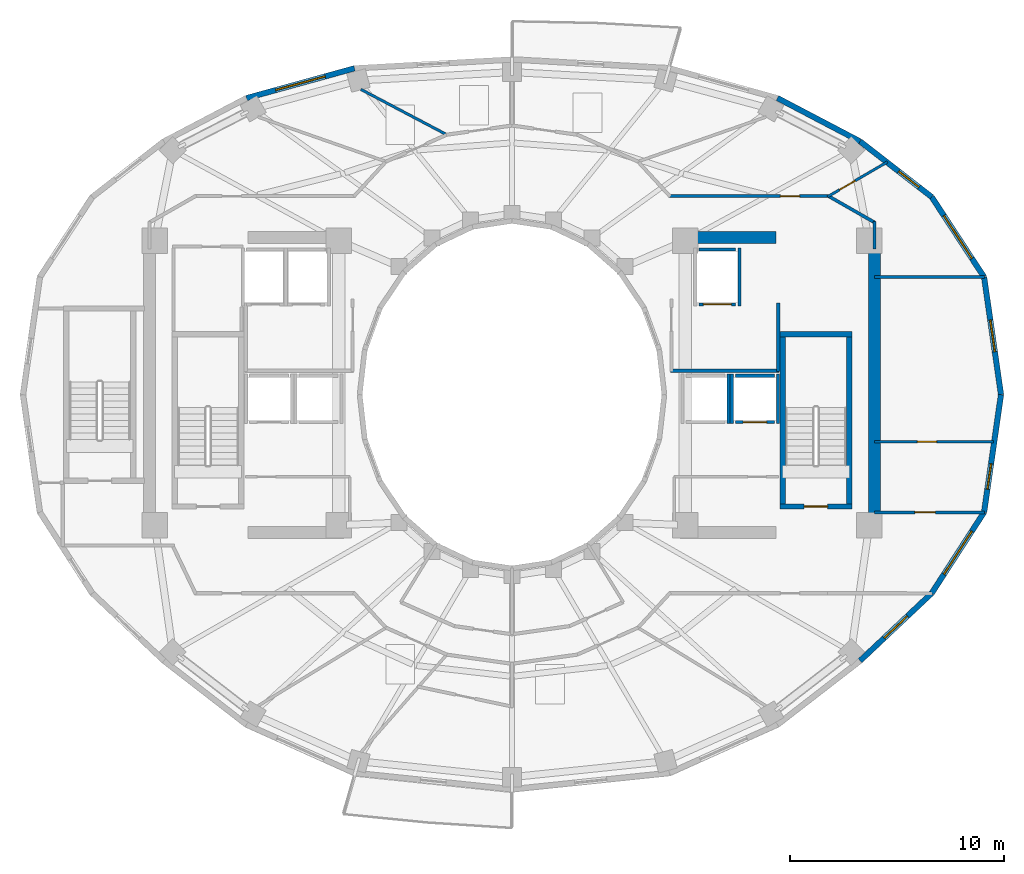
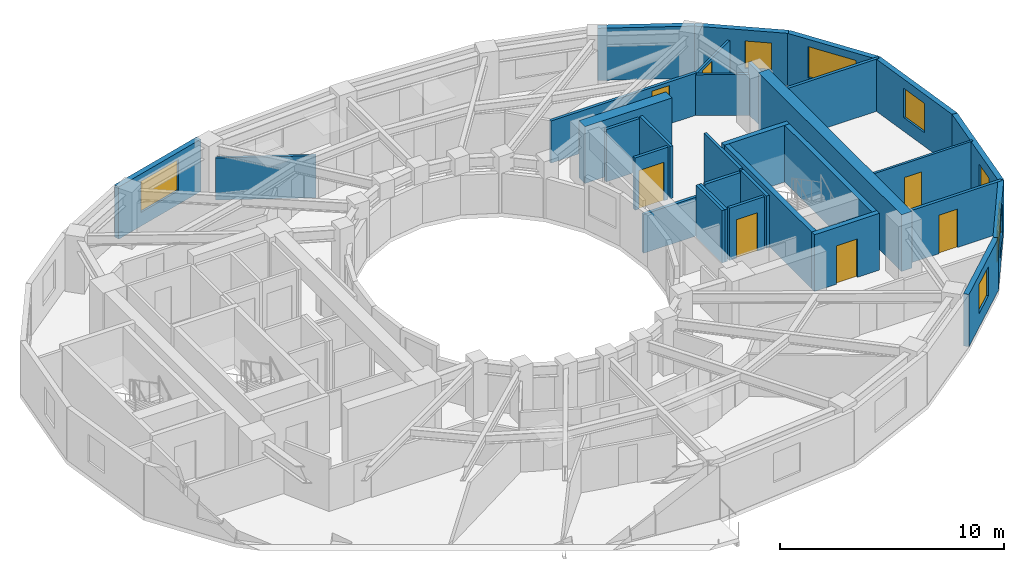
# One storey, part 6 of 9: 32 walls, 7 doors, 7 windows, 14 openings.
"""IFC4 building model written with IfcOpenShell, lengths in metres."""

from ifc_helpers import new_model, si_unit, direction, frame, frame_2d, origin, place, context, subcontext, project, spatial, rectangle, extrude, material, layer, layer_set, type_object, element, fill, save


model = new_model("IFC4")

# Units and contexts
model_context = context("Model", 3, precision=1e-05, world=origin(), true_north=direction((0.0, 1.0)))
body_context = subcontext(model_context, "Body", "Model", "MODEL_VIEW")
ifc_project = project(units=[si_unit("LENGTHUNIT", "METRE"), si_unit("AREAUNIT", "SQUARE_METRE"), si_unit("VOLUMEUNIT", "CUBIC_METRE"), si_unit("PLANEANGLEUNIT", "RADIAN"), si_unit("MASSUNIT", "GRAM", prefix="KILO")], contexts=[model_context])

# Site, building, storey
site_placement = place(None, origin())
site = spatial("IfcSite", under=ifc_project, at=site_placement, CompositionType="ELEMENT")
building_placement = place(site_placement, origin())
building = spatial("IfcBuilding", under=site, at=building_placement, Name="Solvane Sanctuary Tower", CompositionType="ELEMENT")
storey_placement = place(building_placement, frame((0.0, 0.0, 174.60009765625)))
storey = spatial("IfcBuildingStorey", under=building, at=storey_placement, Name="L53", CompositionType="ELEMENT", Elevation=174.60009765625)

# Walls
ifc_material_1 = material(Name="Concrete C50/60", Category="concrete")
ifc_layer_1 = layer(ifc_material_1, 0.550048828125, Name="Concrete C50/60")
ifc_layer_set_1 = layer_set([ifc_layer_1], Name="Concrete C50/60")
wall_type_1 = type_object("IfcWallType", Name="Wall W-CORE-550", PredefinedType="SHEAR", material=ifc_layer_set_1)
wall_1_placement = place(storey_placement, frame((48.949951171875, 17.050048828125, 0.0), z_axis=(0.0, 0.0, 1.0), x_axis=(0.0, 1.0, 0.0)))
element("IfcWall", 1, at=wall_1_placement, inside=storey, type_object=wall_type_1, Name="L53 Core Shear Wall EC-E", PredefinedType="SHEAR", context=body_context, shape_type="SweptSolid", body=[
    extrude(rectangle(XDim=12.800048828125, YDim=0.550048828125, at=frame_2d((6.39990234375, 0.0))), origin(), (0.0, 0.0, 1.0), 3.099853515625),
])
wall_2_placement = place(storey_placement, frame((39.85009765625, 30.35009765625, 0.0), z_axis=(0.0, 0.0, 1.0), x_axis=(1.0, 0.0, 0.0)))
element("IfcWall", 2, at=wall_2_placement, inside=storey, type_object=wall_type_1, Name="L53 Core Shear Wall EC-N", PredefinedType="SHEAR", context=body_context, shape_type="SweptSolid", body=[
    extrude(rectangle(XDim=4.5, YDim=0.550048828125, at=frame_2d((2.25, 0.0))), origin(), (0.0, 0.0, 1.0), 3.099853515625),
])
ifc_material_2 = material(Name="Acoustic Gypsum Partition Board")
ifc_layer_2 = layer(ifc_material_2, 0.14990234375, Name="Acoustic Gypsum Partition Board")
ifc_layer_set_2 = layer_set([ifc_layer_2], Name="Acoustic Gypsum Partition Board")
wall_type_2 = type_object("IfcWallType", Name="Wall W-CORR-150", PredefinedType="PARTITIONING", material=ifc_layer_set_2)
wall_3_placement = place(storey_placement, frame((39.39990234375, 24.1201171875, 0.0), z_axis=(0.0, 0.0, 1.0), x_axis=(1.0, 0.0, 0.0)))
element("IfcWall", 3, at=wall_3_placement, inside=storey, type_object=wall_type_2, Name="L53 East Firefighting Lobby South Wall", PredefinedType="PARTITIONING", context=body_context, shape_type="SweptSolid", body=[
    extrude(rectangle(XDim=5.080078125, YDim=0.14990234375, at=frame_2d((2.5400390625, 0.0))), origin(), (0.0, 0.0, 1.0), 2.119873046875),
])
wall_4_placement = place(storey_placement, frame((44.449951171875, 24.080078125, 0.0), z_axis=(0.0, 0.0, 1.0), x_axis=(0.0, 1.0, 0.0)))
element("IfcWall", 4, at=wall_4_placement, inside=storey, type_object=wall_type_2, Name="L53 East Firefighting Lobby East Wall", PredefinedType="PARTITIONING", context=body_context, shape_type="SweptSolid", body=[
    extrude(rectangle(XDim=3.199951171875, YDim=0.14990234375, at=frame_2d((1.60009765625, 0.0))), origin(), (0.0, 0.0, 1.0), 2.85498046875),
])

# Wall, opening, door
wall_5_placement = place(storey_placement, frame((48.949951171875, 17.4970703125, 0.0), z_axis=(0.0, 0.0, 1.0), x_axis=(1.0, 0.0, 0.0)))
wall_5 = element("IfcWall", 5, at=wall_5_placement, inside=storey, type_object=wall_type_2, Name="L53 East Shoulder South Wall", PredefinedType="PARTITIONING", context=body_context, shape_type="SweptSolid", body=[
    extrude(rectangle(XDim=5.14013671875, YDim=0.14990234375, at=frame_2d((2.570068359375, 0.0))), origin(), (0.0, 0.0, 1.0), 2.85498046875),
])
opening_1_placement = place(wall_5_placement, frame((1.888671875, 0.0, 0.0)))
opening_1 = element("IfcOpeningElement", 6, at=opening_1_placement, cuts=wall_5, Name="Opening D-L53-11", PredefinedType="OPENING", context=body_context, shape_type="SweptSolid", body=[
    extrude(rectangle(XDim=0.949951171875, YDim=2.10009765625, at=frame_2d((0.47509765625, 1.050048828125))), frame((0.0, 0.0849609375, 0.0), z_axis=(0.0, -1.0, 0.0), x_axis=(1.0, 0.0, 0.0)), (0.0, 0.0, 1.0), 0.169921875),
])
ifc_material_3 = material(Name="Engineered Tropical Hardwood", Category="wood")
door_type_1 = type_object("IfcDoorType", Name="Door D-ROOM-950", OperationType="NOTDEFINED", PredefinedType="DOOR", material=ifc_material_3)
door_1_placement = place(opening_1_placement, origin())
door_1 = element("IfcDoor", 7, at=door_1_placement, inside=storey, type_object=door_type_1, Name="L53 East Shoulder South Door", OperationType="SINGLE_SWING_RIGHT", OverallHeight=2.10009765625, OverallWidth=0.949951171875, PredefinedType="DOOR", context=body_context, shape_type="SweptSolid", body=[
    extrude(rectangle(XDim=0.949951171875, YDim=2.10009765625, at=frame_2d((0.47509765625, 1.050048828125))), frame((0.0, 0.02490234375, 0.0), z_axis=(0.0, -1.0, 0.0), x_axis=(1.0, 0.0, 0.0)), (0.0, 0.0, 1.0), 0.050048828125),
])
fill(opening_1, door_1)

# Walls
wall_6_placement = place(storey_placement, frame((48.949951171875, 28.5029296875, 0.0), z_axis=(0.0, 0.0, 1.0), x_axis=(1.0, 0.0, 0.0)))
element("IfcWall", 8, at=wall_6_placement, inside=storey, type_object=wall_type_2, Name="L53 East Shoulder North Wall", PredefinedType="PARTITIONING", context=body_context, shape_type="SweptSolid", body=[
    extrude(rectangle(XDim=5.14013671875, YDim=0.14990234375, at=frame_2d((2.570068359375, 0.0))), origin(), (0.0, 0.0, 1.0), 2.85498046875),
])
wall_7_placement = place(storey_placement, frame((48.949951171875, 29.800048828125, 0.0), z_axis=(0.0, 0.0, 1.0), x_axis=(0.0, 1.0, 0.0)))
element("IfcWall", 9, at=wall_7_placement, inside=storey, type_object=wall_type_2, Name="L53 NE Corner Closer 1", PredefinedType="PARTITIONING", context=body_context, shape_type="SweptSolid", body=[
    extrude(rectangle(XDim=1.2900390625, YDim=0.14990234375, at=frame_2d((0.64501953125, 0.0))), origin(), (0.0, 0.0, 1.0), 2.85498046875),
])

# Wall, opening, door
wall_8_placement = place(storey_placement, frame((39.330078125, 32.280029296875, 0.0), z_axis=(0.0, 0.0, 1.0), x_axis=(1.0, 0.0, 0.0)))
wall_8 = element("IfcWall", 10, at=wall_8_placement, inside=storey, type_object=wall_type_2, Name="L53 NE Corner Corridor Wall", PredefinedType="PARTITIONING", context=body_context, shape_type="SweptSolid", body=[
    extrude(rectangle(XDim=7.52001953125, YDim=0.14990234375, at=frame_2d((3.760009765625, 0.0))), origin(), (0.0, 0.0, 1.0), 2.298828125),
])
opening_2_placement = place(wall_8_placement, frame((5.219970703125, 0.0, 0.0)))
opening_2 = element("IfcOpeningElement", 11, at=opening_2_placement, cuts=wall_8, Name="Opening D-L53-14", PredefinedType="OPENING", context=body_context, shape_type="SweptSolid", body=[
    extrude(rectangle(XDim=0.89990234375, YDim=2.10009765625, at=frame_2d((0.449951171875, 1.050048828125))), frame((0.0, 0.0849609375, 0.0), z_axis=(0.0, -1.0, 0.0), x_axis=(1.0, 0.0, 0.0)), (0.0, 0.0, 1.0), 0.169921875),
])
door_type_2 = type_object("IfcDoorType", Name="Door D-WET-900", OperationType="NOTDEFINED", PredefinedType="DOOR", material=ifc_material_3)
door_2_placement = place(opening_2_placement, origin())
door_2 = element("IfcDoor", 12, at=door_2_placement, inside=storey, type_object=door_type_2, Name="L53 NE Corner Salon Door", OperationType="SINGLE_SWING_LEFT", OverallHeight=2.10009765625, OverallWidth=0.89990234375, PredefinedType="DOOR", context=body_context, shape_type="SweptSolid", body=[
    extrude(rectangle(XDim=0.89990234375, YDim=2.10009765625, at=frame_2d((0.449951171875, 1.050048828125))), frame((0.0, 0.02490234375, 0.0), z_axis=(0.0, -1.0, 0.0), x_axis=(1.0, 0.0, 0.0)), (0.0, 0.0, 1.0), 0.050048828125),
])
fill(opening_2, door_2)

# Wall
wall_9_placement = place(storey_placement, frame((46.756591796875, 32.3046875, 0.0), z_axis=(0.0, 0.0, 1.0), x_axis=(0.867991349648, -0.496579315857, 0.0)))
element("IfcWall", 13, at=wall_9_placement, inside=storey, type_object=wall_type_2, Name="L53 NE Corner Wing Wall", PredefinedType="PARTITIONING", context=body_context, shape_type="SweptSolid", body=[
    extrude(rectangle(XDim=2.56689453125, YDim=0.14990234375, at=frame_2d((1.283447265625, 0.0))), origin(), (0.0, 0.0, 1.0), 2.219970703125),
])

# Wall, opening, window
ifc_material_4 = material(Name="Precast concrete C40/50", Category="concrete")
ifc_layer_3 = layer(ifc_material_4, 0.260009765625, Name="Precast concrete C40/50")
ifc_layer_set_3 = layer_set([ifc_layer_3], Name="Precast concrete C40/50")
wall_type_3 = type_object("IfcWallType", Name="Wall W-EXT-250", PredefinedType="STANDARD", material=ifc_layer_set_3)
wall_10_placement = place(storey_placement, frame((54.860107421875, 23.0, 0.0), z_axis=(0.0, 0.0, 1.0), x_axis=(-0.142227632286, 0.989833976288, 0.0)))
wall_10 = element("IfcWall", 14, at=wall_10_placement, inside=storey, type_object=wall_type_3, Name="L53 Ceramic-Printed Facade Wall 00", PredefinedType="STANDARD", context=body_context, shape_type="SweptSolid", body=[
    extrude(rectangle(XDim=5.552978515625, YDim=0.260009765625, at=frame_2d((2.7763671875, 0.0))), origin(), (0.0, 0.0, 1.0), 2.849853515625),
])
opening_3_placement = place(wall_10_placement, frame((2.026611328125, 0.0, 0.75)))
opening_3 = element("IfcOpeningElement", 15, at=opening_3_placement, cuts=wall_10, Name="Opening WN-OPER-1500", PredefinedType="OPENING", context=body_context, shape_type="SweptSolid", body=[
    extrude(rectangle(XDim=1.5, YDim=1.60009765625, at=frame_2d((0.75, 0.800048828125))), frame((0.0, 0.139892578125, 0.0), z_axis=(0.0, -1.0, 0.0), x_axis=(1.0, 0.0, 0.0)), (0.0, 0.0, 1.0), 0.280029296875),
])
ifc_material_5 = material(Name="Dark Ceramic-Fritted Low-E Glass", Category="glass")
window_type_1 = type_object("IfcWindowType", Name="Window WN-OPER-1500", PartitioningType="SINGLE_PANEL", PredefinedType="WINDOW", material=ifc_material_5)
window_1_placement = place(opening_3_placement, origin())
window_1 = element("IfcWindow", 16, at=window_1_placement, inside=storey, type_object=window_type_1, Name="L53 Operable Facade Window 00", OverallHeight=1.60009765625, OverallWidth=1.5, PartitioningType="SINGLE_PANEL", PredefinedType="WINDOW", context=body_context, shape_type="SweptSolid", body=[
    extrude(rectangle(XDim=1.5, YDim=1.60009765625, at=frame_2d((0.75, 0.800048828125))), frame((0.0, 0.030029296875, 0.0), z_axis=(0.0, -1.0, 0.0), x_axis=(1.0, 0.0, 0.0)), (0.0, 0.0, 1.0), 0.06005859375),
])
fill(opening_3, window_1)

wall_11_placement = place(storey_placement, frame((54.0703125, 28.49658203125, 0.0), z_axis=(0.0, 0.0, 1.0), x_axis=(-0.547456494366, 0.836834145322, 0.0)))
wall_11 = element("IfcWall", 17, at=wall_11_placement, inside=storey, type_object=wall_type_3, Name="L53 Ceramic-Printed Facade Wall 01", PredefinedType="STANDARD", context=body_context, shape_type="SweptSolid", body=[
    extrude(rectangle(XDim=4.477294921875, YDim=0.260009765625, at=frame_2d((2.23876953125, 0.0))), origin(), (0.0, 0.0, 1.0), 2.849853515625),
])
opening_4_placement = place(wall_11_placement, frame((1.038818359375, 0.0, 0.75)))
opening_4 = element("IfcOpeningElement", 18, at=opening_4_placement, cuts=wall_11, Name="Opening WN-RIB-2400", PredefinedType="OPENING", context=body_context, shape_type="SweptSolid", body=[
    extrude(rectangle(XDim=2.39990234375, YDim=1.699951171875, at=frame_2d((1.199951171875, 0.85009765625))), frame((0.0, 0.139892578125, 0.0), z_axis=(0.0, -1.0, 0.0), x_axis=(1.0, 0.0, 0.0)), (0.0, 0.0, 1.0), 0.280029296875),
])
window_type_2 = type_object("IfcWindowType", Name="Window WN-RIB-2400", PartitioningType="SINGLE_PANEL", PredefinedType="WINDOW", material=ifc_material_5)
window_2_placement = place(opening_4_placement, origin())
window_2 = element("IfcWindow", 19, at=window_2_placement, inside=storey, type_object=window_type_2, Name="L53 Operable Facade Window 01", OverallHeight=1.699951171875, OverallWidth=2.39990234375, PartitioningType="SINGLE_PANEL", PredefinedType="WINDOW", context=body_context, shape_type="SweptSolid", body=[
    extrude(rectangle(XDim=2.39990234375, YDim=1.699951171875, at=frame_2d((1.199951171875, 0.85009765625))), frame((0.0, 0.030029296875, 0.0), z_axis=(0.0, -1.0, 0.0), x_axis=(1.0, 0.0, 0.0)), (0.0, 0.0, 1.0), 0.06005859375),
])
fill(opening_4, window_2)

wall_12_placement = place(storey_placement, frame((51.619140625, 32.243408203125, 0.0), z_axis=(0.0, 0.0, 1.0), x_axis=(-0.790185650662, 0.612867552973, 0.0)))
wall_12 = element("IfcWall", 20, at=wall_12_placement, inside=storey, type_object=wall_type_3, Name="L53 Ceramic-Printed Facade Wall 02", PredefinedType="STANDARD", context=body_context, shape_type="SweptSolid", body=[
    extrude(rectangle(XDim=4.2392578125, YDim=0.260009765625, at=frame_2d((2.11962890625, 0.0))), origin(), (0.0, 0.0, 1.0), 2.849853515625),
])
opening_5_placement = place(wall_12_placement, frame((0.748779296875, 0.0, 0.75)))
opening_5 = element("IfcOpeningElement", 21, at=opening_5_placement, cuts=wall_12, Name="Opening WN-OPER-1200", PredefinedType="OPENING", context=body_context, shape_type="SweptSolid", body=[
    extrude(rectangle(XDim=1.199951171875, YDim=1.5, at=frame_2d((0.60009765625, 0.75))), frame((0.0, 0.139892578125, 0.0), z_axis=(0.0, -1.0, 0.0), x_axis=(1.0, 0.0, 0.0)), (0.0, 0.0, 1.0), 0.280029296875),
])
window_type_3 = type_object("IfcWindowType", Name="Window WN-OPER-1200", PartitioningType="SINGLE_PANEL", PredefinedType="WINDOW", material=ifc_material_5)
window_3_placement = place(opening_5_placement, origin())
window_3 = element("IfcWindow", 22, at=window_3_placement, inside=storey, type_object=window_type_3, Name="L53 Operable Facade Window 02", OverallHeight=1.5, OverallWidth=1.199951171875, PartitioningType="SINGLE_PANEL", PredefinedType="WINDOW", context=body_context, shape_type="SweptSolid", body=[
    extrude(rectangle(XDim=1.199951171875, YDim=1.5, at=frame_2d((0.60009765625, 0.75))), frame((0.0, 0.030029296875, 0.0), z_axis=(0.0, -1.0, 0.0), x_axis=(1.0, 0.0, 0.0)), (0.0, 0.0, 1.0), 0.06005859375),
])
fill(opening_5, window_3)

# Wall
wall_13_placement = place(storey_placement, frame((48.269287109375, 34.841552734375, 0.0), z_axis=(0.0, 0.0, 1.0), x_axis=(-0.885660265226, 0.464333818065, 0.0)))
element("IfcWall", 23, at=wall_13_placement, inside=storey, type_object=wall_type_3, Name="L53 Ceramic-Printed Facade Wall 03", PredefinedType="STANDARD", context=body_context, shape_type="SweptSolid", body=[
    extrude(rectangle(XDim=4.35400390625, YDim=0.260009765625, at=frame_2d((2.177001953125, 0.0))), origin(), (0.0, 0.0, 1.0), 2.849853515625),
])

# Wall, opening, window
wall_14_placement = place(storey_placement, frame((24.634765625, 38.256591796875, 0.0), z_axis=(0.0, 0.0, 1.0), x_axis=(-0.963953455704, -0.26607092144, 0.0)))
wall_14 = element("IfcWall", 24, at=wall_14_placement, inside=storey, type_object=wall_type_3, Name="L53 Ceramic-Printed Facade Wall 07", PredefinedType="STANDARD", context=body_context, shape_type="SweptSolid", body=[
    extrude(rectangle(XDim=5.236572265625, YDim=0.260009765625, at=frame_2d((2.6181640625, 0.0))), origin(), (0.0, 0.0, 1.0), 2.849853515625),
])
opening_6_placement = place(wall_14_placement, frame((1.418212890625, 0.0, 0.75)))
opening_6 = element("IfcOpeningElement", 25, at=opening_6_placement, cuts=wall_14, Name="Opening WN-RIB-2400", PredefinedType="OPENING", context=body_context, shape_type="SweptSolid", body=[
    extrude(rectangle(XDim=2.39990234375, YDim=1.699951171875, at=frame_2d((1.199951171875, 0.85009765625))), frame((0.0, 0.139892578125, 0.0), z_axis=(0.0, -1.0, 0.0), x_axis=(1.0, 0.0, 0.0)), (0.0, 0.0, 1.0), 0.280029296875),
])
window_4_placement = place(opening_6_placement, origin())
window_4 = element("IfcWindow", 26, at=window_4_placement, inside=storey, type_object=window_type_2, Name="L53 Operable Facade Window 07", OverallHeight=1.699951171875, OverallWidth=2.39990234375, PartitioningType="SINGLE_PANEL", PredefinedType="WINDOW", context=body_context, shape_type="SweptSolid", body=[
    extrude(rectangle(XDim=2.39990234375, YDim=1.699951171875, at=frame_2d((1.199951171875, 0.85009765625))), frame((0.0, 0.030029296875, 0.0), z_axis=(0.0, -1.0, 0.0), x_axis=(1.0, 0.0, 0.0)), (0.0, 0.0, 1.0), 0.06005859375),
])
fill(opening_6, window_4)

wall_15_placement = place(storey_placement, frame((48.269287109375, 10.55859375, 0.0), z_axis=(0.0, 0.0, 1.0), x_axis=(0.727667301037, 0.68593024354, 0.0)))
wall_15 = element("IfcWall", 27, at=wall_15_placement, inside=storey, type_object=wall_type_3, Name="L53 Ceramic-Printed Facade Wall 21", PredefinedType="STANDARD", context=body_context, shape_type="SweptSolid", body=[
    extrude(rectangle(XDim=4.603515625, YDim=0.260009765625, at=frame_2d((2.3017578125, 0.0))), origin(), (0.0, 0.0, 1.0), 2.849853515625),
])
opening_7_placement = place(wall_15_placement, frame((1.5517578125, 0.0, 0.75)))
opening_7 = element("IfcOpeningElement", 28, at=opening_7_placement, cuts=wall_15, Name="Opening WN-OPER-1500", PredefinedType="OPENING", context=body_context, shape_type="SweptSolid", body=[
    extrude(rectangle(XDim=1.5, YDim=1.60009765625, at=frame_2d((0.75, 0.800048828125))), frame((0.0, 0.139892578125, 0.0), z_axis=(0.0, -1.0, 0.0), x_axis=(1.0, 0.0, 0.0)), (0.0, 0.0, 1.0), 0.280029296875),
])
window_5_placement = place(opening_7_placement, origin())
window_5 = element("IfcWindow", 29, at=window_5_placement, inside=storey, type_object=window_type_1, Name="L53 Operable Facade Window 21", OverallHeight=1.60009765625, OverallWidth=1.5, PartitioningType="SINGLE_PANEL", PredefinedType="WINDOW", context=body_context, shape_type="SweptSolid", body=[
    extrude(rectangle(XDim=1.5, YDim=1.60009765625, at=frame_2d((0.75, 0.800048828125))), frame((0.0, 0.030029296875, 0.0), z_axis=(0.0, -1.0, 0.0), x_axis=(1.0, 0.0, 0.0)), (0.0, 0.0, 1.0), 0.06005859375),
])
fill(opening_7, window_5)

wall_16_placement = place(storey_placement, frame((51.619140625, 13.71630859375, 0.0), z_axis=(0.0, 0.0, 1.0), x_axis=(0.543358984534, 0.839500454989, 0.0)))
wall_16 = element("IfcWall", 30, at=wall_16_placement, inside=storey, type_object=wall_type_3, Name="L53 Ceramic-Printed Facade Wall 22", PredefinedType="STANDARD", context=body_context, shape_type="SweptSolid", body=[
    extrude(rectangle(XDim=4.51123046875, YDim=0.260009765625, at=frame_2d((2.255615234375, 0.0))), origin(), (0.0, 0.0, 1.0), 2.849853515625),
])
opening_8_placement = place(wall_16_placement, frame((1.0556640625, 0.0, 0.75)))
opening_8 = element("IfcOpeningElement", 31, at=opening_8_placement, cuts=wall_16, Name="Opening WN-RIB-2400", PredefinedType="OPENING", context=body_context, shape_type="SweptSolid", body=[
    extrude(rectangle(XDim=2.39990234375, YDim=1.699951171875, at=frame_2d((1.199951171875, 0.85009765625))), frame((0.0, 0.139892578125, 0.0), z_axis=(0.0, -1.0, 0.0), x_axis=(1.0, 0.0, 0.0)), (0.0, 0.0, 1.0), 0.280029296875),
])
window_6_placement = place(opening_8_placement, origin())
window_6 = element("IfcWindow", 32, at=window_6_placement, inside=storey, type_object=window_type_2, Name="L53 Operable Facade Window 22", OverallHeight=1.699951171875, OverallWidth=2.39990234375, PartitioningType="SINGLE_PANEL", PredefinedType="WINDOW", context=body_context, shape_type="SweptSolid", body=[
    extrude(rectangle(XDim=2.39990234375, YDim=1.699951171875, at=frame_2d((1.199951171875, 0.85009765625))), frame((0.0, 0.030029296875, 0.0), z_axis=(0.0, -1.0, 0.0), x_axis=(1.0, 0.0, 0.0)), (0.0, 0.0, 1.0), 0.06005859375),
])
fill(opening_8, window_6)

wall_17_placement = place(storey_placement, frame((54.0703125, 17.50341796875, 0.0), z_axis=(0.0, 0.0, 1.0), x_axis=(0.142227632286, 0.989833976288, 0.0)))
wall_17 = element("IfcWall", 33, at=wall_17_placement, inside=storey, type_object=wall_type_3, Name="L53 Ceramic-Printed Facade Wall 23", PredefinedType="STANDARD", context=body_context, shape_type="SweptSolid", body=[
    extrude(rectangle(XDim=5.552978515625, YDim=0.260009765625, at=frame_2d((2.7763671875, 0.0))), origin(), (0.0, 0.0, 1.0), 2.849853515625),
])
opening_9_placement = place(wall_17_placement, frame((1.090087890625, 0.0, 0.75)))
opening_9 = element("IfcOpeningElement", 34, at=opening_9_placement, cuts=wall_17, Name="Opening WN-OPER-1200", PredefinedType="OPENING", context=body_context, shape_type="SweptSolid", body=[
    extrude(rectangle(XDim=1.199951171875, YDim=1.5, at=frame_2d((0.60009765625, 0.75))), frame((0.0, 0.139892578125, 0.0), z_axis=(0.0, -1.0, 0.0), x_axis=(1.0, 0.0, 0.0)), (0.0, 0.0, 1.0), 0.280029296875),
])
window_7_placement = place(opening_9_placement, origin())
window_7 = element("IfcWindow", 35, at=window_7_placement, inside=storey, type_object=window_type_3, Name="L53 Operable Facade Window 23", OverallHeight=1.5, OverallWidth=1.199951171875, PartitioningType="SINGLE_PANEL", PredefinedType="WINDOW", context=body_context, shape_type="SweptSolid", body=[
    extrude(rectangle(XDim=1.199951171875, YDim=1.5, at=frame_2d((0.60009765625, 0.75))), frame((0.0, 0.030029296875, 0.0), z_axis=(0.0, -1.0, 0.0), x_axis=(1.0, 0.0, 0.0)), (0.0, 0.0, 1.0), 0.06005859375),
])
fill(opening_9, window_7)

# Wall, opening, door
ifc_layer_4 = layer(ifc_material_2, 0.1201171875, Name="Acoustic Gypsum Partition Board")
ifc_layer_set_4 = layer_set([ifc_layer_4], Name="Acoustic Gypsum Partition Board")
wall_type_4 = type_object("IfcWallType", Name="Wall W-MOV-100", PredefinedType="MOVABLE", material=ifc_layer_set_4)
wall_18_placement = place(storey_placement, frame((48.949951171875, 20.800048828125, 0.0), z_axis=(0.0, 0.0, 1.0), x_axis=(1.0, 0.0, 0.0)))
wall_18 = element("IfcWall", 36, at=wall_18_placement, inside=storey, type_object=wall_type_4, Name="L53 East Suite Partition", PredefinedType="MOVABLE", context=body_context, shape_type="SweptSolid", body=[
    extrude(rectangle(XDim=5.55419921875, YDim=0.1201171875, at=frame_2d((2.777099609375, 0.0))), origin(), (0.0, 0.0, 1.0), 2.85498046875),
])
opening_10_placement = place(wall_18_placement, frame((2.0, 0.0, 0.0)))
opening_10 = element("IfcOpeningElement", 37, at=opening_10_placement, cuts=wall_18, Name="Opening D-L53-12", PredefinedType="OPENING", context=body_context, shape_type="SweptSolid", body=[
    extrude(rectangle(XDim=0.89990234375, YDim=2.10009765625, at=frame_2d((0.449951171875, 1.050048828125))), frame((0.0, 0.070068359375, 0.0), z_axis=(0.0, -1.0, 0.0), x_axis=(1.0, 0.0, 0.0)), (0.0, 0.0, 1.0), 0.14013671875),
])
door_3_placement = place(opening_10_placement, origin())
door_3 = element("IfcDoor", 38, at=door_3_placement, inside=storey, type_object=door_type_2, Name="L53 East Suite Internal Door", OperationType="SINGLE_SWING_LEFT", OverallHeight=2.10009765625, OverallWidth=0.89990234375, PredefinedType="DOOR", context=body_context, shape_type="SweptSolid", body=[
    extrude(rectangle(XDim=0.89990234375, YDim=2.10009765625, at=frame_2d((0.449951171875, 1.050048828125))), frame((0.0, 0.02490234375, 0.0), z_axis=(0.0, -1.0, 0.0), x_axis=(1.0, 0.0, 0.0)), (0.0, 0.0, 1.0), 0.050048828125),
])
fill(opening_10, door_3)

wall_19_placement = place(storey_placement, frame((46.7568359375, 32.2548828125, 0.0), z_axis=(0.0, 0.0, 1.0), x_axis=(0.864408655832, 0.502789892224, 0.0)))
wall_19 = element("IfcWall", 39, at=wall_19_placement, inside=storey, type_object=wall_type_4, Name="L53 NE Corner Suite Partition", PredefinedType="MOVABLE", context=body_context, shape_type="SweptSolid", body=[
    extrude(rectangle(XDim=3.23046875, YDim=0.1201171875, at=frame_2d((1.615234375, 0.0))), origin(), (0.0, 0.0, 1.0), 2.219970703125),
])
opening_11_placement = place(wall_19_placement, frame((0.640625, 0.0, 0.0)))
opening_11 = element("IfcOpeningElement", 40, at=opening_11_placement, cuts=wall_19, Name="Opening D-L53-13", PredefinedType="OPENING", context=body_context, shape_type="SweptSolid", body=[
    extrude(rectangle(XDim=0.85009765625, YDim=2.050048828125, at=frame_2d((0.425048828125, 1.02490234375))), frame((0.0, 0.070068359375, 0.0), z_axis=(0.0, -1.0, 0.0), x_axis=(1.0, 0.0, 0.0)), (0.0, 0.0, 1.0), 0.14013671875),
])
ifc_material_6 = material(Name="Architectural Stainless Steel 316", Category="steel")
door_type_3 = type_object("IfcDoorType", Name="Door D-RISER", OperationType="NOTDEFINED", PredefinedType="DOOR", material=ifc_material_6)
door_4_placement = place(opening_11_placement, origin())
door_4 = element("IfcDoor", 41, at=door_4_placement, inside=storey, type_object=door_type_3, Name="L53 NE Corner Suite Door", OperationType="SINGLE_SWING_RIGHT", OverallHeight=2.050048828125, OverallWidth=0.85009765625, PredefinedType="DOOR", context=body_context, shape_type="SweptSolid", body=[
    extrude(rectangle(XDim=0.85009765625, YDim=2.050048828125, at=frame_2d((0.425048828125, 1.02490234375))), frame((0.0, 0.02490234375, 0.0), z_axis=(0.0, -1.0, 0.0), x_axis=(1.0, 0.0, 0.0)), (0.0, 0.0, 1.0), 0.050048828125),
])
fill(opening_11, door_4)

# Wall
ifc_layer_5 = layer(ifc_material_2, 0.125, Name="Acoustic Gypsum Partition Board")
ifc_layer_set_5 = layer_set([ifc_layer_5], Name="Acoustic Gypsum Partition Board")
wall_type_5 = type_object("IfcWallType", Name="Wall W-PART-125", PredefinedType="PARTITIONING", material=ifc_layer_set_5)
wall_20_placement = place(storey_placement, frame((28.90185546875, 35.178955078125, 0.0), z_axis=(0.0, 0.0, 1.0), x_axis=(-0.884576855896, 0.466394453241, 0.0)))
element("IfcWall", 42, at=wall_20_placement, inside=storey, type_object=wall_type_5, Name="L53 Radial Compartment Wall 105", PredefinedType="PARTITIONING", context=body_context, shape_type="SweptSolid", body=[
    extrude(rectangle(XDim=4.486572265625, YDim=0.125, at=frame_2d((2.2431640625, 0.0))), origin(), (0.0, 0.0, 1.0), 2.298828125),
])

# Wall, opening, door
ifc_layer_6 = layer(ifc_material_1, 0.14990234375, Name="Concrete C50/60")
ifc_layer_set_6 = layer_set([ifc_layer_6], Name="Concrete C50/60")
wall_type_6 = type_object("IfcWallType", Name="Wall W-SHAFT-150", PredefinedType="SOLIDWALL", material=ifc_layer_set_6)
wall_21_placement = place(storey_placement, frame((42.43994140625, 21.719970703125, 0.0), z_axis=(0.0, 0.0, 1.0), x_axis=(1.0, 0.0, 0.0)))
wall_21 = element("IfcWall", 43, at=wall_21_placement, inside=storey, type_object=wall_type_6, Name="L53 PM-2 Lift Shaft Wall F", PredefinedType="SOLIDWALL", context=body_context, shape_type="SweptSolid", body=[
    extrude(rectangle(XDim=1.820068359375, YDim=0.14990234375, at=frame_2d((0.91015625, 0.0))), origin(), (0.0, 0.0, 1.0), 2.85498046875),
])
opening_12_placement = place(wall_21_placement, frame((0.360107421875, 0.0, 0.0)))
opening_12 = element("IfcOpeningElement", 44, at=opening_12_placement, cuts=wall_21, Name="Opening LD-L53-02", PredefinedType="OPENING", context=body_context, shape_type="SweptSolid", body=[
    extrude(rectangle(XDim=1.10009765625, YDim=2.10009765625, at=frame_2d((0.550048828125, 1.050048828125))), frame((0.0, 0.0849609375, 0.0), z_axis=(0.0, -1.0, 0.0), x_axis=(1.0, 0.0, 0.0)), (0.0, 0.0, 1.0), 0.169921875),
])
door_type_4 = type_object("IfcDoorType", Name="Door LD-PASS-1100", OperationType="NOTDEFINED", PredefinedType="DOOR", material=ifc_material_6)
door_5_placement = place(opening_12_placement, origin())
door_5 = element("IfcDoor", 45, at=door_5_placement, inside=storey, type_object=door_type_4, Name="L53 PM-2 Lift Landing Door", OperationType="DOUBLE_DOOR_SLIDING", OverallHeight=2.10009765625, OverallWidth=1.10009765625, PredefinedType="DOOR", context=body_context, shape_type="SweptSolid", body=[
    extrude(rectangle(XDim=1.10009765625, YDim=2.10009765625, at=frame_2d((0.550048828125, 1.050048828125))), frame((0.0, 0.02490234375, 0.0), z_axis=(0.0, -1.0, 0.0), x_axis=(1.0, 0.0, 0.0)), (0.0, 0.0, 1.0), 0.050048828125),
])
fill(opening_12, door_5)

# Walls
wall_22_placement = place(storey_placement, frame((42.43994140625, 23.8798828125, 0.0), z_axis=(0.0, 0.0, 1.0), x_axis=(1.0, 0.0, 0.0)))
element("IfcWall", 46, at=wall_22_placement, inside=storey, type_object=wall_type_6, Name="L53 PM-2 Lift Shaft Wall B", PredefinedType="SOLIDWALL", context=body_context, shape_type="SweptSolid", body=[
    extrude(rectangle(XDim=1.820068359375, YDim=0.14990234375, at=frame_2d((0.91015625, 0.0))), origin(), (0.0, 0.0, 1.0), 2.85498046875),
])
for number, where, z_axis, x_axis, name in (
    (47, (42.27001953125, 21.639892578125, 0.0), (0.0, 0.0, 1.0), (0.0, 1.0, 0.0), "L53 PM-2 Lift Shaft Wall S1"),
    (48, (44.429931640625, 21.639892578125, 0.0), (0.0, 0.0, 1.0), (0.0, 1.0, 0.0), "L53 PM-2 Lift Shaft Wall S2"),
    (49, (42.1298828125, 21.639892578125, 0.0), (0.0, 0.0, 1.0), (0.0, 1.0, 0.0), "L53 PH-2 Lift Shaft Wall S2"),
):
    element("IfcWall", number, at=place(storey_placement, frame(where, z_axis=z_axis, x_axis=x_axis)), inside=storey, type_object=wall_type_6, Name=name, PredefinedType="SOLIDWALL", context=body_context, shape_type="SweptSolid", body=[
        extrude(rectangle(XDim=2.320068359375, YDim=0.14990234375, at=frame_2d((1.16015625, 0.0))), origin(), (0.0, 0.0, 1.0), 2.85498046875),
    ])

# Wall, opening, door
wall_23_placement = place(storey_placement, frame((40.739990234375, 27.219970703125, 0.0), z_axis=(0.0, 0.0, 1.0), x_axis=(1.0, 0.0, 0.0)))
wall_23 = element("IfcWall", 50, at=wall_23_placement, inside=storey, type_object=wall_type_6, Name="L53 FFL-2 Lift Shaft Wall F", PredefinedType="SOLIDWALL", context=body_context, shape_type="SweptSolid", body=[
    extrude(rectangle(XDim=1.719970703125, YDim=0.14990234375, at=frame_2d((0.85986328125, 0.0))), origin(), (0.0, 0.0, 1.0), 2.85498046875),
])
opening_13_placement = place(wall_23_placement, frame((0.2099609375, 0.0, 0.0)))
opening_13 = element("IfcOpeningElement", 51, at=opening_13_placement, cuts=wall_23, Name="Opening LD-L53-05", PredefinedType="OPENING", context=body_context, shape_type="SweptSolid", body=[
    extrude(rectangle(XDim=1.300048828125, YDim=2.10009765625, at=frame_2d((0.64990234375, 1.050048828125))), frame((0.0, 0.0849609375, 0.0), z_axis=(0.0, -1.0, 0.0), x_axis=(1.0, 0.0, 0.0)), (0.0, 0.0, 1.0), 0.169921875),
])
door_type_5 = type_object("IfcDoorType", Name="Door LD-FFL-1300", OperationType="NOTDEFINED", PredefinedType="DOOR", material=ifc_material_6)
door_6_placement = place(opening_13_placement, origin())
door_6 = element("IfcDoor", 52, at=door_6_placement, inside=storey, type_object=door_type_5, Name="L53 FFL-2 Lift Landing Door", OperationType="DOUBLE_DOOR_SLIDING", OverallHeight=2.10009765625, OverallWidth=1.300048828125, PredefinedType="DOOR", context=body_context, shape_type="SweptSolid", body=[
    extrude(rectangle(XDim=1.300048828125, YDim=2.10009765625, at=frame_2d((0.64990234375, 1.050048828125))), frame((0.0, 0.02490234375, 0.0), z_axis=(0.0, -1.0, 0.0), x_axis=(1.0, 0.0, 0.0)), (0.0, 0.0, 1.0), 0.050048828125),
])
fill(opening_13, door_6)

# Walls
wall_24_placement = place(storey_placement, frame((40.739990234375, 29.780029296875, 0.0), z_axis=(0.0, 0.0, 1.0), x_axis=(1.0, 0.0, 0.0)))
element("IfcWall", 53, at=wall_24_placement, inside=storey, type_object=wall_type_6, Name="L53 FFL-2 Lift Shaft Wall B", PredefinedType="SOLIDWALL", context=body_context, shape_type="SweptSolid", body=[
    extrude(rectangle(XDim=1.719970703125, YDim=0.14990234375, at=frame_2d((0.85986328125, 0.0))), origin(), (0.0, 0.0, 1.0), 2.85498046875),
])
wall_25_placement = place(storey_placement, frame((42.6298828125, 27.139892578125, 0.0), z_axis=(0.0, 0.0, 1.0), x_axis=(0.0, 1.0, 0.0)))
element("IfcWall", 54, at=wall_25_placement, inside=storey, type_object=wall_type_6, Name="L53 FFL-2 Lift Shaft Wall S2", PredefinedType="SOLIDWALL", context=body_context, shape_type="SweptSolid", body=[
    extrude(rectangle(XDim=2.72021484375, YDim=0.14990234375, at=frame_2d((1.360107421875, 0.0))), origin(), (0.0, 0.0, 1.0), 2.85498046875),
])

# Wall, opening, door
ifc_layer_7 = layer(ifc_material_1, 0.25, Name="Concrete C50/60")
ifc_layer_set_7 = layer_set([ifc_layer_7], Name="Concrete C50/60")
wall_type_7 = type_object("IfcWallType", Name="Wall W-SHAFT-250", PredefinedType="SOLIDWALL", material=ifc_layer_set_7)
wall_26_placement = place(storey_placement, frame((44.52490234375, 17.77001953125, 0.0), z_axis=(0.0, 0.0, 1.0), x_axis=(1.0, 0.0, 0.0)))
wall_26 = element("IfcWall", 55, at=wall_26_placement, inside=storey, type_object=wall_type_7, Name="L53 ST-2 Load-Bearing Shaft Wall S", PredefinedType="SOLIDWALL", context=body_context, shape_type="SweptSolid", body=[
    extrude(rectangle(XDim=3.3701171875, YDim=0.25, at=frame_2d((1.68505859375, 0.0))), origin(), (0.0, 0.0, 1.0), 3.099853515625),
])
opening_14_placement = place(wall_26_placement, frame((1.135009765625, 0.0, 0.0)))
opening_14 = element("IfcOpeningElement", 56, at=opening_14_placement, cuts=wall_26, Name="Opening D-L53-04", PredefinedType="OPENING", context=body_context, shape_type="SweptSolid", body=[
    extrude(rectangle(XDim=1.10009765625, YDim=2.10009765625, at=frame_2d((0.550048828125, 1.050048828125))), frame((0.0, 0.135009765625, 0.0), z_axis=(0.0, -1.0, 0.0), x_axis=(1.0, 0.0, 0.0)), (0.0, 0.0, 1.0), 0.27001953125),
])
door_type_6 = type_object("IfcDoorType", Name="Door D-STAIR", OperationType="NOTDEFINED", PredefinedType="DOOR", material=ifc_material_6)
door_7_placement = place(opening_14_placement, origin())
door_7 = element("IfcDoor", 57, at=door_7_placement, inside=storey, type_object=door_type_6, Name="L53 ST-2 Exit Stair Fire Door", OperationType="SINGLE_SWING_RIGHT", OverallHeight=2.10009765625, OverallWidth=1.10009765625, PredefinedType="DOOR", context=body_context, shape_type="SweptSolid", body=[
    extrude(rectangle(XDim=1.10009765625, YDim=2.10009765625, at=frame_2d((0.550048828125, 1.050048828125))), frame((0.0, 0.02490234375, 0.0), z_axis=(0.0, -1.0, 0.0), x_axis=(1.0, 0.0, 0.0)), (0.0, 0.0, 1.0), 0.050048828125),
])
fill(opening_14, door_7)

# Walls
wall_27_placement = place(storey_placement, frame((44.52490234375, 25.830078125, 0.0), z_axis=(0.0, 0.0, 1.0), x_axis=(1.0, 0.0, 0.0)))
element("IfcWall", 58, at=wall_27_placement, inside=storey, type_object=wall_type_7, Name="L53 ST-2 Load-Bearing Shaft Wall N", PredefinedType="SOLIDWALL", context=body_context, shape_type="SweptSolid", body=[
    extrude(rectangle(XDim=3.3701171875, YDim=0.25, at=frame_2d((1.68505859375, 0.0))), origin(), (0.0, 0.0, 1.0), 3.099853515625),
])
for number, where, z_axis, x_axis, name in (
    (59, (44.64990234375, 17.89501953125, 0.0), (0.0, 0.0, 1.0), (0.0, 1.0, 0.0), "L53 ST-2 Load-Bearing Shaft Wall W"),
    (60, (47.77001953125, 17.89501953125, 0.0), (0.0, 0.0, 1.0), (0.0, 1.0, 0.0), "L53 ST-2 Load-Bearing Shaft Wall E"),
):
    element("IfcWall", number, at=place(storey_placement, frame(where, z_axis=z_axis, x_axis=x_axis)), inside=storey, type_object=wall_type_7, Name=name, PredefinedType="SOLIDWALL", context=body_context, shape_type="SweptSolid", body=[
        extrude(rectangle(XDim=7.81005859375, YDim=0.25, at=frame_2d((3.905029296875, 0.0))), origin(), (0.0, 0.0, 1.0), 3.099853515625),
    ])

save(model, "model.ifc")
